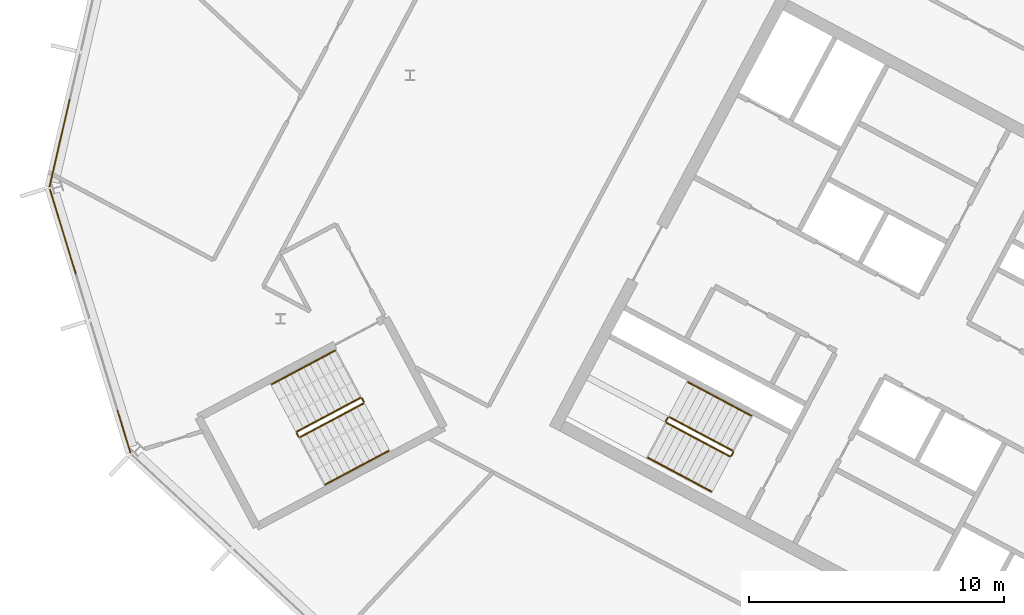
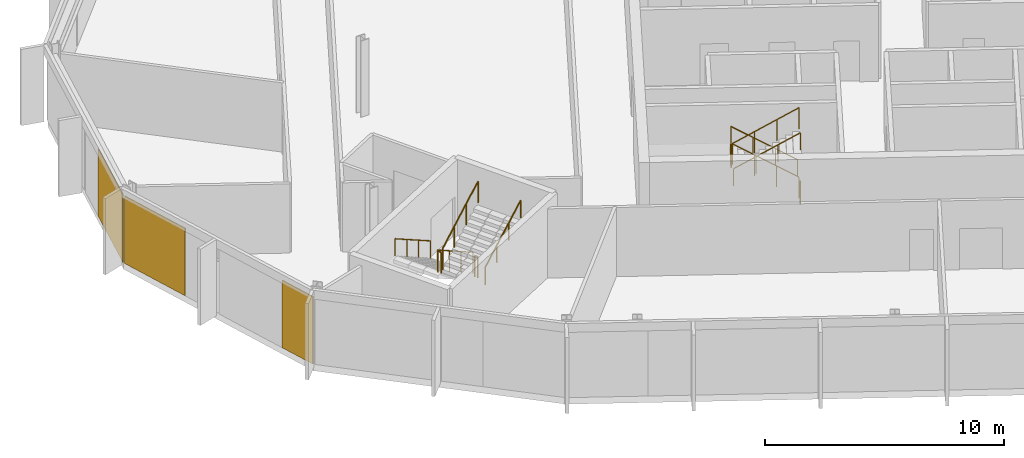
# One storey, part 20 of 25: 12 railings, 3 coverings, 2 elements without a shape of their own.
"""IFC4 building model written with IfcOpenShell, lengths in metres."""

from ifc_helpers import new_model, si_unit, direction, frame, origin, origin_2d, place, context, subcontext, project, spatial, polyline, rectangle, outline, extrude, material, layer, layer_set, type_object, element, aggregate, save


model = new_model("IFC4")

# Units and contexts
model_context = context("Model", 3, precision=1e-05, world=origin(), true_north=direction((0.0, 1.0)))
body_context = subcontext(model_context, "Body", "Model", "MODEL_VIEW")
ifc_project = project(units=[si_unit("LENGTHUNIT", "METRE"), si_unit("AREAUNIT", "SQUARE_METRE"), si_unit("VOLUMEUNIT", "CUBIC_METRE"), si_unit("PLANEANGLEUNIT", "RADIAN"), si_unit("MASSUNIT", "GRAM", prefix="KILO")], contexts=[model_context])

# Site, building, storey
site_placement = place(None, origin())
site = spatial("IfcSite", under=ifc_project, at=site_placement, CompositionType="ELEMENT")
building_placement = place(site_placement, origin())
building = spatial("IfcBuilding", under=site, at=building_placement, Name="Cormorant Relay Tower", CompositionType="ELEMENT")
storey_placement = place(building_placement, frame((0.0, 0.0, 281.39990234375)))
storey = spatial("IfcBuildingStorey", under=building, at=storey_placement, Name="L63", CompositionType="ELEMENT", Elevation=281.39990234375)

# Curtain wall, covering
ifc_material_1 = material(Name="Aluminium 6063-T6 anodised bronze", Category="aluminium")
ifc_layer_1 = layer(ifc_material_1, 0.199951171875)
ifc_layer_set_1 = layer_set([ifc_layer_1], Name="CW1 unitised bronze curtain wall with vertical fins")
curtain_wall_type = type_object("IfcCurtainWallType", Name="CW1 unitised bronze curtain wall with vertical fins", PredefinedType="NOTDEFINED", material=ifc_layer_set_1)
curtain_wall_1_placement = place(storey_placement, origin())
curtain_wall_1 = element("IfcCurtainWall", 1, at=curtain_wall_1_placement, inside=storey, type_object=curtain_wall_type, Name="CW1 curtain wall 13", PredefinedType="NOTDEFINED")
ifc_material_2 = material(Name="Pale bronze anodised aluminium insulated panel", Category="aluminium")
ifc_layer_2 = layer(ifc_material_2, 0.0400390625)
ifc_layer_set_2 = layer_set([ifc_layer_2], Name="CW1 pale bronze insulated panel 40")
covering_type = type_object("IfcCoveringType", Name="CW1 pale bronze insulated panel 40", PredefinedType="CLADDING", material=ifc_layer_set_2)
covering_1_placement = place(storey_placement, frame((-60.3388671875, 22.13232421875, 0.0), z_axis=(0.0, 0.0, 1.0), x_axis=(-0.224951054344, -0.974370064785, 0.0)))
covering_1 = element("IfcCovering", 2, at=covering_1_placement, type_object=covering_type, Name="CW1 panel S02", PredefinedType="CLADDING", context=body_context, shape_type="SweptSolid", body=[
    extrude(rectangle(XDim=3.560302734375, YDim=0.0400390625, at=origin_2d()), origin(), (0.0, 0.0, 1.0), 3.449951171875),
])
aggregate(curtain_wall_1, [covering_1])

# Curtain wall, coverings
curtain_wall_2_placement = place(storey_placement, origin())
curtain_wall_2 = element("IfcCurtainWall", 3, at=curtain_wall_2_placement, inside=storey, type_object=curtain_wall_type, Name="CW1 curtain wall 14", PredefinedType="NOTDEFINED")
covering_2_placement = place(storey_placement, frame((-60.20751953125, 18.6494140625, 0.0), z_axis=(0.0, 0.0, 1.0), x_axis=(0.292371704723, -0.956304755963, 0.0)))
covering_2 = element("IfcCovering", 4, at=covering_2_placement, type_object=covering_type, Name="CW1 panel S00", PredefinedType="CLADDING", context=body_context, shape_type="SweptSolid", body=[
    extrude(rectangle(XDim=3.485107421875, YDim=0.0400390625, at=origin_2d()), origin(), (0.0, 0.0, 1.0), 3.449951171875),
])
covering_3_placement = place(storey_placement, frame((-57.818115234375, 10.833740234375, 0.0), z_axis=(0.0, 0.0, 1.0), x_axis=(0.292371704723, -0.956304755963, 0.0)))
covering_3 = element("IfcCovering", 5, at=covering_3_placement, type_object=covering_type, Name="CW1 panel S03", PredefinedType="CLADDING", context=body_context, shape_type="SweptSolid", body=[
    extrude(rectangle(XDim=1.76025390625, YDim=0.0400390625, at=origin_2d()), origin(), (0.0, 0.0, 1.0), 3.449951171875),
])
aggregate(curtain_wall_2, [covering_2, covering_3])

# Railings
ifc_material_3 = material(Name="Steel ASTM A572 Grade 50 (Fy 345 MPa)", Category="steel")
railing_type_1 = type_object("IfcRailingType", Name="Stair guard 1100", PredefinedType="GUARDRAIL", material=ifc_material_3)
railing_1_placement = place(storey_placement, frame((-33.9921875, 10.08935546875, 0.177490234375)))
element("IfcRailing", 6, at=railing_1_placement, inside=storey, type_object=railing_type_1, Name="L63 A2 stair guard 1", PredefinedType="GUARDRAIL", context=body_context, shape_type="SweptSolid", body=[
    extrude(outline(polyline([(0.022216796875, 0.00927734375), (0.00927734375, 0.022216796875), (-0.00927734375, 0.022216796875), (-0.022216796875, 0.00927734375), (-0.022216796875, -0.00927734375), (-0.00927734375, -0.022216796875), (0.00927734375, -0.022216796875), (0.022216796875, -0.00927734375), (0.022216796875, 0.00927734375)])), frame((0.0, 0.0, 1.076171875), z_axis=(-0.746001213114, 0.396649272309, 0.534931345884), x_axis=(-0.469465464807, -0.882950835185, 0.0)), (0.0, 0.0, 1.0), 3.31396484375),
    extrude(outline(polyline([(0.019287109375, 0.008056640625), (0.008056640625, 0.019287109375), (-0.008056640625, 0.019287109375), (-0.019287109375, 0.008056640625), (-0.019287109375, -0.008056640625), (-0.008056640625, -0.019287109375), (0.008056640625, -0.019287109375), (0.019287109375, -0.008056640625), (0.019287109375, 0.008056640625)])), origin(), (0.0, 0.0, 1.0), 1.052001953125),
    extrude(outline(polyline([(0.019287109375, 0.008056640625), (0.008056640625, 0.019287109375), (-0.008056640625, 0.019287109375), (-0.019287109375, 0.008056640625), (-0.019287109375, -0.008056640625), (-0.008056640625, -0.019287109375), (0.008056640625, -0.019287109375), (0.019287109375, -0.008056640625), (0.019287109375, 0.008056640625)])), frame((-0.823974609375, 0.438232421875, 0.5908203125)), (0.0, 0.0, 1.0), 1.052001953125),
    extrude(outline(polyline([(0.019287109375, 0.008056640625), (0.008056640625, 0.019287109375), (-0.008056640625, 0.019287109375), (-0.019287109375, 0.008056640625), (-0.019287109375, -0.008056640625), (-0.008056640625, -0.019287109375), (0.008056640625, -0.019287109375), (0.019287109375, -0.008056640625), (0.019287109375, 0.008056640625)])), frame((-1.648193359375, 0.876220703125, 1.181884765625)), (0.0, 0.0, 1.0), 1.052001953125),
    extrude(outline(polyline([(0.019287109375, 0.008056640625), (0.008056640625, 0.019287109375), (-0.008056640625, 0.019287109375), (-0.019287109375, 0.008056640625), (-0.019287109375, -0.008056640625), (-0.008056640625, -0.019287109375), (0.008056640625, -0.019287109375), (0.019287109375, -0.008056640625), (0.019287109375, 0.008056640625)])), frame((-2.47216796875, 1.314453125, 1.772705078125)), (0.0, 0.0, 1.0), 1.052001953125),
])
railing_2_placement = place(storey_placement, frame((-36.531982421875, 11.38330078125, 1.9501953125)))
element("IfcRailing", 7, at=railing_2_placement, inside=storey, type_object=railing_type_1, Name="L63 A2 stair guard 2", PredefinedType="GUARDRAIL", context=body_context, shape_type="SweptSolid", body=[
    extrude(outline(polyline([(0.022216796875, 0.00927734375), (0.00927734375, 0.022216796875), (-0.00927734375, 0.022216796875), (-0.022216796875, 0.00927734375), (-0.022216796875, -0.00927734375), (-0.00927734375, -0.022216796875), (0.00927734375, -0.022216796875), (0.022216796875, -0.00927734375), (0.022216796875, 0.00927734375)])), frame((0.0, 0.0, 1.076171875), z_axis=(-0.469828648786, -0.882757634224, 0.0), x_axis=(0.882757634224, -0.469828648786, 0.0)), (0.0, 0.0, 1.0), 0.150146484375),
    extrude(outline(polyline([(0.019287109375, 0.008056640625), (0.008056640625, 0.019287109375), (-0.008056640625, 0.019287109375), (-0.019287109375, 0.008056640625), (-0.019287109375, -0.008056640625), (-0.008056640625, -0.019287109375), (0.008056640625, -0.019287109375), (0.019287109375, -0.008056640625), (0.019287109375, 0.008056640625)])), origin(), (0.0, 0.0, 1.0), 1.052001953125),
    extrude(outline(polyline([(0.019287109375, 0.008056640625), (0.008056640625, 0.019287109375), (-0.008056640625, 0.019287109375), (-0.019287109375, 0.008056640625), (-0.019287109375, -0.008056640625), (-0.008056640625, -0.019287109375), (0.008056640625, -0.019287109375), (0.019287109375, -0.008056640625), (0.019287109375, 0.008056640625)])), frame((-0.070556640625, -0.132568359375, 0.0)), (0.0, 0.0, 1.0), 1.052001953125),
])
railing_3_placement = place(storey_placement, frame((-36.581787109375, 11.18310546875, 2.12744140625)))
element("IfcRailing", 8, at=railing_3_placement, inside=storey, type_object=railing_type_1, Name="L63 A2 stair guard 3", PredefinedType="GUARDRAIL", context=body_context, shape_type="SweptSolid", body=[
    extrude(outline(polyline([(0.022216796875, 0.00927734375), (0.00927734375, 0.022216796875), (-0.00927734375, 0.022216796875), (-0.022216796875, 0.00927734375), (-0.022216796875, -0.00927734375), (-0.00927734375, -0.022216796875), (0.00927734375, -0.022216796875), (0.022216796875, -0.00927734375), (0.022216796875, 0.00927734375)])), frame((0.0, 0.0, 1.076171875), z_axis=(0.746001213114, -0.396649272309, 0.534931345884), x_axis=(0.469465464807, 0.882950835185, 0.0)), (0.0, 0.0, 1.0), 3.31396484375),
    extrude(outline(polyline([(0.019287109375, 0.008056640625), (0.008056640625, 0.019287109375), (-0.008056640625, 0.019287109375), (-0.019287109375, 0.008056640625), (-0.019287109375, -0.008056640625), (-0.008056640625, -0.019287109375), (0.008056640625, -0.019287109375), (0.019287109375, -0.008056640625), (0.019287109375, 0.008056640625)])), origin(), (0.0, 0.0, 1.0), 1.052001953125),
    extrude(outline(polyline([(0.019287109375, 0.008056640625), (0.008056640625, 0.019287109375), (-0.008056640625, 0.019287109375), (-0.019287109375, 0.008056640625), (-0.019287109375, -0.008056640625), (-0.008056640625, -0.019287109375), (0.008056640625, -0.019287109375), (0.019287109375, -0.008056640625), (0.019287109375, 0.008056640625)])), frame((0.823974609375, -0.438232421875, 0.5908203125)), (0.0, 0.0, 1.0), 1.052001953125),
    extrude(outline(polyline([(0.019287109375, 0.008056640625), (0.008056640625, 0.019287109375), (-0.008056640625, 0.019287109375), (-0.019287109375, 0.008056640625), (-0.019287109375, -0.008056640625), (-0.008056640625, -0.019287109375), (0.008056640625, -0.019287109375), (0.019287109375, -0.008056640625), (0.019287109375, 0.008056640625)])), frame((1.648193359375, -0.876220703125, 1.181884765625)), (0.0, 0.0, 1.0), 1.052001953125),
    extrude(outline(polyline([(0.019287109375, 0.008056640625), (0.008056640625, 0.019287109375), (-0.008056640625, 0.019287109375), (-0.019287109375, 0.008056640625), (-0.019287109375, -0.008056640625), (-0.008056640625, -0.019287109375), (0.008056640625, -0.019287109375), (0.019287109375, -0.008056640625), (0.019287109375, 0.008056640625)])), frame((2.47216796875, -1.314453125, 1.772705078125)), (0.0, 0.0, 1.0), 1.052001953125),
])
railing_4_placement = place(storey_placement, frame((-33.971435546875, 10.021728515625, 0.0)))
element("IfcRailing", 9, at=railing_4_placement, inside=storey, type_object=railing_type_1, Name="L63 A2 stair guard 4", PredefinedType="GUARDRAIL", context=body_context, shape_type="SweptSolid", body=[
    extrude(outline(polyline([(0.022216796875, 0.00927734375), (0.00927734375, 0.022216796875), (-0.00927734375, 0.022216796875), (-0.022216796875, 0.00927734375), (-0.022216796875, -0.00927734375), (-0.00927734375, -0.022216796875), (0.00927734375, -0.022216796875), (0.022216796875, -0.00927734375), (0.022216796875, 0.00927734375)])), frame((0.0, 0.0, 1.076171875), z_axis=(-0.470503732759, -0.882398003998, 0.0), x_axis=(0.882398003998, -0.470503732759, 0.0)), (0.0, 0.0, 1.0), 0.14990234375),
    extrude(outline(polyline([(0.019287109375, 0.008056640625), (0.008056640625, 0.019287109375), (-0.008056640625, 0.019287109375), (-0.019287109375, 0.008056640625), (-0.019287109375, -0.008056640625), (-0.008056640625, -0.019287109375), (0.008056640625, -0.019287109375), (0.019287109375, -0.008056640625), (0.019287109375, 0.008056640625)])), origin(), (0.0, 0.0, 1.0), 1.052001953125),
    extrude(outline(polyline([(0.019287109375, 0.008056640625), (0.008056640625, 0.019287109375), (-0.008056640625, 0.019287109375), (-0.019287109375, 0.008056640625), (-0.019287109375, -0.008056640625), (-0.008056640625, -0.019287109375), (0.008056640625, -0.019287109375), (0.019287109375, -0.008056640625), (0.019287109375, 0.008056640625)])), frame((-0.070556640625, -0.13232421875, 0.0)), (0.0, 0.0, 1.0), 1.052001953125),
])
railing_5_placement = place(storey_placement, frame((-48.5693359375, 12.155517578125, 0.177490234375)))
element("IfcRailing", 10, at=railing_5_placement, inside=storey, type_object=railing_type_1, Name="L63 RP1 stair guard 1", PredefinedType="GUARDRAIL", context=body_context, shape_type="SweptSolid", body=[
    extrude(outline(polyline([(0.022216796875, 0.00927734375), (0.00927734375, 0.022216796875), (-0.00927734375, 0.022216796875), (-0.022216796875, 0.00927734375), (-0.022216796875, -0.00927734375), (-0.00927734375, -0.022216796875), (0.00927734375, -0.022216796875), (0.022216796875, -0.00927734375), (0.022216796875, 0.00927734375)])), frame((0.0, 0.0, 1.076171875), z_axis=(-0.746012083385, -0.396689549623, 0.534886317514), x_axis=(0.469497295046, -0.882933910293, 0.0)), (0.0, 0.0, 1.0), 3.314208984375),
    extrude(outline(polyline([(0.019287109375, 0.008056640625), (0.008056640625, 0.019287109375), (-0.008056640625, 0.019287109375), (-0.019287109375, 0.008056640625), (-0.019287109375, -0.008056640625), (-0.008056640625, -0.019287109375), (0.008056640625, -0.019287109375), (0.019287109375, -0.008056640625), (0.019287109375, 0.008056640625)])), origin(), (0.0, 0.0, 1.0), 1.052001953125),
    extrude(outline(polyline([(0.019287109375, 0.008056640625), (0.008056640625, 0.019287109375), (-0.008056640625, 0.019287109375), (-0.019287109375, 0.008056640625), (-0.019287109375, -0.008056640625), (-0.008056640625, -0.019287109375), (0.008056640625, -0.019287109375), (0.019287109375, -0.008056640625), (0.019287109375, 0.008056640625)])), frame((-0.82421875, -0.438232421875, 0.5908203125)), (0.0, 0.0, 1.0), 1.052001953125),
    extrude(outline(polyline([(0.019287109375, 0.008056640625), (0.008056640625, 0.019287109375), (-0.008056640625, 0.019287109375), (-0.019287109375, 0.008056640625), (-0.019287109375, -0.008056640625), (-0.008056640625, -0.019287109375), (0.008056640625, -0.019287109375), (0.019287109375, -0.008056640625), (0.019287109375, 0.008056640625)])), frame((-1.648193359375, -0.87646484375, 1.181884765625)), (0.0, 0.0, 1.0), 1.052001953125),
    extrude(outline(polyline([(0.019287109375, 0.008056640625), (0.008056640625, 0.019287109375), (-0.008056640625, 0.019287109375), (-0.019287109375, 0.008056640625), (-0.019287109375, -0.008056640625), (-0.008056640625, -0.019287109375), (0.008056640625, -0.019287109375), (0.019287109375, -0.008056640625), (0.019287109375, 0.008056640625)])), frame((-2.472412109375, -1.314697265625, 1.772705078125)), (0.0, 0.0, 1.0), 1.052001953125),
])
railing_6_placement = place(storey_placement, frame((-51.062255859375, 10.773193359375, 1.9501953125)))
element("IfcRailing", 11, at=railing_6_placement, inside=storey, type_object=railing_type_1, Name="L63 RP1 stair guard 2", PredefinedType="GUARDRAIL", context=body_context, shape_type="SweptSolid", body=[
    extrude(outline(polyline([(0.022216796875, 0.00927734375), (0.00927734375, 0.022216796875), (-0.00927734375, 0.022216796875), (-0.022216796875, 0.00927734375), (-0.022216796875, -0.00927734375), (-0.00927734375, -0.022216796875), (0.00927734375, -0.022216796875), (0.022216796875, -0.00927734375), (0.022216796875, 0.00927734375)])), frame((0.0, 0.0, 1.076171875), z_axis=(0.469234640946, -0.883073525669, 0.0), x_axis=(0.883073525669, 0.469234640946, 0.0)), (0.0, 0.0, 1.0), 0.14990234375),
    extrude(outline(polyline([(0.019287109375, 0.008056640625), (0.008056640625, 0.019287109375), (-0.008056640625, 0.019287109375), (-0.019287109375, 0.008056640625), (-0.019287109375, -0.008056640625), (-0.008056640625, -0.019287109375), (0.008056640625, -0.019287109375), (0.019287109375, -0.008056640625), (0.019287109375, 0.008056640625)])), origin(), (0.0, 0.0, 1.0), 1.052001953125),
    extrude(outline(polyline([(0.019287109375, 0.008056640625), (0.008056640625, 0.019287109375), (-0.008056640625, 0.019287109375), (-0.019287109375, 0.008056640625), (-0.019287109375, -0.008056640625), (-0.008056640625, -0.019287109375), (0.008056640625, -0.019287109375), (0.019287109375, -0.008056640625), (0.019287109375, 0.008056640625)])), frame((0.0703125, -0.13232421875, 0.0)), (0.0, 0.0, 1.0), 1.052001953125),
])
railing_7_placement = place(storey_placement, frame((-50.92431640625, 10.6201171875, 2.12744140625)))
element("IfcRailing", 12, at=railing_7_placement, inside=storey, type_object=railing_type_1, Name="L63 RP1 stair guard 3", PredefinedType="GUARDRAIL", context=body_context, shape_type="SweptSolid", body=[
    extrude(outline(polyline([(0.022216796875, 0.00927734375), (0.00927734375, 0.022216796875), (-0.00927734375, 0.022216796875), (-0.022216796875, 0.00927734375), (-0.022216796875, -0.00927734375), (-0.00927734375, -0.022216796875), (0.00927734375, -0.022216796875), (0.022216796875, -0.00927734375), (0.022216796875, 0.00927734375)])), frame((0.0, 0.0, 1.076171875), z_axis=(0.746033882577, 0.396627473466, 0.534901947407), x_axis=(-0.469429322983, 0.882970050864, 0.0)), (0.0, 0.0, 1.0), 3.31396484375),
    extrude(outline(polyline([(0.019287109375, 0.008056640625), (0.008056640625, 0.019287109375), (-0.008056640625, 0.019287109375), (-0.019287109375, 0.008056640625), (-0.019287109375, -0.008056640625), (-0.008056640625, -0.019287109375), (0.008056640625, -0.019287109375), (0.019287109375, -0.008056640625), (0.019287109375, 0.008056640625)])), origin(), (0.0, 0.0, 1.0), 1.052001953125),
    extrude(outline(polyline([(0.019287109375, 0.008056640625), (0.008056640625, 0.019287109375), (-0.008056640625, 0.019287109375), (-0.019287109375, 0.008056640625), (-0.019287109375, -0.008056640625), (-0.008056640625, -0.019287109375), (0.008056640625, -0.019287109375), (0.019287109375, -0.008056640625), (0.019287109375, 0.008056640625)])), frame((0.82421875, 0.438232421875, 0.5908203125)), (0.0, 0.0, 1.0), 1.052001953125),
    extrude(outline(polyline([(0.019287109375, 0.008056640625), (0.008056640625, 0.019287109375), (-0.008056640625, 0.019287109375), (-0.019287109375, 0.008056640625), (-0.019287109375, -0.008056640625), (-0.008056640625, -0.019287109375), (0.008056640625, -0.019287109375), (0.019287109375, -0.008056640625), (0.019287109375, 0.008056640625)])), frame((1.648193359375, 0.876220703125, 1.181884765625)), (0.0, 0.0, 1.0), 1.052001953125),
    extrude(outline(polyline([(0.019287109375, 0.008056640625), (0.008056640625, 0.019287109375), (-0.008056640625, 0.019287109375), (-0.019287109375, 0.008056640625), (-0.019287109375, -0.008056640625), (-0.008056640625, -0.019287109375), (0.008056640625, -0.019287109375), (0.019287109375, -0.008056640625), (0.019287109375, 0.008056640625)])), frame((2.472412109375, 1.314453125, 1.772705078125)), (0.0, 0.0, 1.0), 1.052001953125),
])
railing_8_placement = place(storey_placement, frame((-48.501708984375, 12.134765625, 0.0)))
element("IfcRailing", 13, at=railing_8_placement, inside=storey, type_object=railing_type_1, Name="L63 RP1 stair guard 4", PredefinedType="GUARDRAIL", context=body_context, shape_type="SweptSolid", body=[
    extrude(outline(polyline([(0.022216796875, 0.00927734375), (0.00927734375, 0.022216796875), (-0.00927734375, 0.022216796875), (-0.022216796875, 0.00927734375), (-0.022216796875, -0.00927734375), (-0.00927734375, -0.022216796875), (0.00927734375, -0.022216796875), (0.022216796875, -0.00927734375), (0.022216796875, 0.00927734375)])), frame((0.0, 0.0, 1.076171875), z_axis=(0.46856034887, -0.8834314911, 0.0), x_axis=(0.8834314911, 0.46856034887, 0.0)), (0.0, 0.0, 1.0), 0.150146484375),
    extrude(outline(polyline([(0.019287109375, 0.008056640625), (0.008056640625, 0.019287109375), (-0.008056640625, 0.019287109375), (-0.019287109375, 0.008056640625), (-0.019287109375, -0.008056640625), (-0.008056640625, -0.019287109375), (0.008056640625, -0.019287109375), (0.019287109375, -0.008056640625), (0.019287109375, 0.008056640625)])), origin(), (0.0, 0.0, 1.0), 1.052001953125),
    extrude(outline(polyline([(0.019287109375, 0.008056640625), (0.008056640625, 0.019287109375), (-0.008056640625, 0.019287109375), (-0.019287109375, 0.008056640625), (-0.019287109375, -0.008056640625), (-0.008056640625, -0.019287109375), (0.008056640625, -0.019287109375), (0.019287109375, -0.008056640625), (0.019287109375, 0.008056640625)])), frame((0.0703125, -0.132568359375, 0.0)), (0.0, 0.0, 1.0), 1.052001953125),
])
ifc_material_4 = material(Name="Steel ASTM A572 Grade 50 (Fy 345 MPa)", Category="steel")
railing_type_2 = type_object("IfcRailingType", Name="Stair handrail 900", PredefinedType="HANDRAIL", material=ifc_material_4)
railing_9_placement = place(storey_placement, frame((-33.264404296875, 11.4580078125, 0.177490234375)))
element("IfcRailing", 14, at=railing_9_placement, inside=storey, type_object=railing_type_2, Name="L63 A2 stair handrail 1", PredefinedType="HANDRAIL", context=body_context, shape_type="SweptSolid", body=[
    extrude(outline(polyline([(0.022216796875, 0.00927734375), (0.00927734375, 0.022216796875), (-0.00927734375, 0.022216796875), (-0.022216796875, 0.00927734375), (-0.022216796875, -0.00927734375), (-0.00927734375, -0.022216796875), (0.00927734375, -0.022216796875), (0.022216796875, -0.00927734375), (0.022216796875, 0.00927734375)])), frame((0.0, 0.0, 0.8759765625), z_axis=(-0.746033882577, 0.396627473466, 0.534901947407), x_axis=(-0.469429322983, -0.882970050864, 0.0)), (0.0, 0.0, 1.0), 3.31396484375),
    extrude(outline(polyline([(0.019287109375, 0.008056640625), (0.008056640625, 0.019287109375), (-0.008056640625, 0.019287109375), (-0.019287109375, 0.008056640625), (-0.019287109375, -0.008056640625), (-0.008056640625, -0.019287109375), (0.008056640625, -0.019287109375), (0.019287109375, -0.008056640625), (0.019287109375, 0.008056640625)])), origin(), (0.0, 0.0, 1.0), 0.851806640625),
    extrude(outline(polyline([(0.019287109375, 0.008056640625), (0.008056640625, 0.019287109375), (-0.008056640625, 0.019287109375), (-0.019287109375, 0.008056640625), (-0.019287109375, -0.008056640625), (-0.008056640625, -0.019287109375), (0.008056640625, -0.019287109375), (0.019287109375, -0.008056640625), (0.019287109375, 0.008056640625)])), frame((-0.82421875, 0.438232421875, 0.5908203125)), (0.0, 0.0, 1.0), 0.851806640625),
    extrude(outline(polyline([(0.019287109375, 0.008056640625), (0.008056640625, 0.019287109375), (-0.008056640625, 0.019287109375), (-0.019287109375, 0.008056640625), (-0.019287109375, -0.008056640625), (-0.008056640625, -0.019287109375), (0.008056640625, -0.019287109375), (0.019287109375, -0.008056640625), (0.019287109375, 0.008056640625)])), frame((-1.648193359375, 0.876220703125, 1.181884765625)), (0.0, 0.0, 1.0), 0.851806640625),
    extrude(outline(polyline([(0.019287109375, 0.008056640625), (0.008056640625, 0.019287109375), (-0.008056640625, 0.019287109375), (-0.019287109375, 0.008056640625), (-0.019287109375, -0.008056640625), (-0.008056640625, -0.019287109375), (0.008056640625, -0.019287109375), (0.019287109375, -0.008056640625), (0.019287109375, 0.008056640625)])), frame((-2.472412109375, 1.314453125, 1.772705078125)), (0.0, 0.0, 1.0), 0.851806640625),
])
railing_10_placement = place(storey_placement, frame((-37.3095703125, 9.814453125, 2.12744140625)))
element("IfcRailing", 15, at=railing_10_placement, inside=storey, type_object=railing_type_2, Name="L63 A2 stair handrail 2", PredefinedType="HANDRAIL", context=body_context, shape_type="SweptSolid", body=[
    extrude(outline(polyline([(0.022216796875, 0.00927734375), (0.00927734375, 0.022216796875), (-0.00927734375, 0.022216796875), (-0.022216796875, 0.00927734375), (-0.022216796875, -0.00927734375), (-0.00927734375, -0.022216796875), (0.00927734375, -0.022216796875), (0.022216796875, -0.00927734375), (0.022216796875, 0.00927734375)])), frame((0.0, 0.0, 0.8759765625), z_axis=(0.746033882577, -0.396627473466, 0.534901947407), x_axis=(0.469429322983, 0.882970050864, 0.0)), (0.0, 0.0, 1.0), 3.31396484375),
    extrude(outline(polyline([(0.019287109375, 0.008056640625), (0.008056640625, 0.019287109375), (-0.008056640625, 0.019287109375), (-0.019287109375, 0.008056640625), (-0.019287109375, -0.008056640625), (-0.008056640625, -0.019287109375), (0.008056640625, -0.019287109375), (0.019287109375, -0.008056640625), (0.019287109375, 0.008056640625)])), origin(), (0.0, 0.0, 1.0), 0.851806640625),
    extrude(outline(polyline([(0.019287109375, 0.008056640625), (0.008056640625, 0.019287109375), (-0.008056640625, 0.019287109375), (-0.019287109375, 0.008056640625), (-0.019287109375, -0.008056640625), (-0.008056640625, -0.019287109375), (0.008056640625, -0.019287109375), (0.019287109375, -0.008056640625), (0.019287109375, 0.008056640625)])), frame((0.82421875, -0.438232421875, 0.5908203125)), (0.0, 0.0, 1.0), 0.851806640625),
    extrude(outline(polyline([(0.019287109375, 0.008056640625), (0.008056640625, 0.019287109375), (-0.008056640625, 0.019287109375), (-0.019287109375, 0.008056640625), (-0.019287109375, -0.008056640625), (-0.008056640625, -0.019287109375), (0.008056640625, -0.019287109375), (0.019287109375, -0.008056640625), (0.019287109375, 0.008056640625)])), frame((1.648193359375, -0.876220703125, 1.181884765625)), (0.0, 0.0, 1.0), 0.851806640625),
    extrude(outline(polyline([(0.019287109375, 0.008056640625), (0.008056640625, 0.019287109375), (-0.008056640625, 0.019287109375), (-0.019287109375, 0.008056640625), (-0.019287109375, -0.008056640625), (-0.008056640625, -0.019287109375), (0.008056640625, -0.019287109375), (0.019287109375, -0.008056640625), (0.019287109375, 0.008056640625)])), frame((2.472412109375, -1.314453125, 1.772705078125)), (0.0, 0.0, 1.0), 0.851806640625),
])
railing_11_placement = place(storey_placement, frame((-49.55517578125, 14.009521484375, 0.177490234375)))
element("IfcRailing", 16, at=railing_11_placement, inside=storey, type_object=railing_type_2, Name="L63 RP1 stair handrail 1", PredefinedType="HANDRAIL", context=body_context, shape_type="SweptSolid", body=[
    extrude(outline(polyline([(0.022216796875, 0.00927734375), (0.00927734375, 0.022216796875), (-0.00927734375, 0.022216796875), (-0.022216796875, 0.00927734375), (-0.022216796875, -0.00927734375), (-0.00927734375, -0.022216796875), (0.00927734375, -0.022216796875), (0.022216796875, -0.00927734375), (0.022216796875, 0.00927734375)])), frame((0.0, 0.0, 0.8759765625), z_axis=(-0.746033882577, -0.396627473466, 0.534901947407), x_axis=(0.469429322983, -0.882970050864, 0.0)), (0.0, 0.0, 1.0), 3.31396484375),
    extrude(outline(polyline([(0.019287109375, 0.008056640625), (0.008056640625, 0.019287109375), (-0.008056640625, 0.019287109375), (-0.019287109375, 0.008056640625), (-0.019287109375, -0.008056640625), (-0.008056640625, -0.019287109375), (0.008056640625, -0.019287109375), (0.019287109375, -0.008056640625), (0.019287109375, 0.008056640625)])), origin(), (0.0, 0.0, 1.0), 0.851806640625),
    extrude(outline(polyline([(0.019287109375, 0.008056640625), (0.008056640625, 0.019287109375), (-0.008056640625, 0.019287109375), (-0.019287109375, 0.008056640625), (-0.019287109375, -0.008056640625), (-0.008056640625, -0.019287109375), (0.008056640625, -0.019287109375), (0.019287109375, -0.008056640625), (0.019287109375, 0.008056640625)])), frame((-0.82421875, -0.438232421875, 0.5908203125)), (0.0, 0.0, 1.0), 0.851806640625),
    extrude(outline(polyline([(0.019287109375, 0.008056640625), (0.008056640625, 0.019287109375), (-0.008056640625, 0.019287109375), (-0.019287109375, 0.008056640625), (-0.019287109375, -0.008056640625), (-0.008056640625, -0.019287109375), (0.008056640625, -0.019287109375), (0.019287109375, -0.008056640625), (0.019287109375, 0.008056640625)])), frame((-1.648193359375, -0.876220703125, 1.181884765625)), (0.0, 0.0, 1.0), 0.851806640625),
    extrude(outline(polyline([(0.019287109375, 0.008056640625), (0.008056640625, 0.019287109375), (-0.008056640625, 0.019287109375), (-0.019287109375, 0.008056640625), (-0.019287109375, -0.008056640625), (-0.008056640625, -0.019287109375), (0.008056640625, -0.019287109375), (0.019287109375, -0.008056640625), (0.019287109375, 0.008056640625)])), frame((-2.472412109375, -1.314453125, 1.772705078125)), (0.0, 0.0, 1.0), 0.851806640625),
])
railing_12_placement = place(storey_placement, frame((-49.9384765625, 8.765869140625, 2.12744140625)))
element("IfcRailing", 17, at=railing_12_placement, inside=storey, type_object=railing_type_2, Name="L63 RP1 stair handrail 2", PredefinedType="HANDRAIL", context=body_context, shape_type="SweptSolid", body=[
    extrude(outline(polyline([(0.022216796875, 0.00927734375), (0.00927734375, 0.022216796875), (-0.00927734375, 0.022216796875), (-0.022216796875, 0.00927734375), (-0.022216796875, -0.00927734375), (-0.00927734375, -0.022216796875), (0.00927734375, -0.022216796875), (0.022216796875, -0.00927734375), (0.022216796875, 0.00927734375)])), frame((0.0, 0.0, 0.8759765625), z_axis=(0.746012083385, 0.396689549623, 0.534886317514), x_axis=(-0.469497295046, 0.882933910293, 0.0)), (0.0, 0.0, 1.0), 3.314208984375),
    extrude(outline(polyline([(0.019287109375, 0.008056640625), (0.008056640625, 0.019287109375), (-0.008056640625, 0.019287109375), (-0.019287109375, 0.008056640625), (-0.019287109375, -0.008056640625), (-0.008056640625, -0.019287109375), (0.008056640625, -0.019287109375), (0.019287109375, -0.008056640625), (0.019287109375, 0.008056640625)])), origin(), (0.0, 0.0, 1.0), 0.851806640625),
    extrude(outline(polyline([(0.019287109375, 0.008056640625), (0.008056640625, 0.019287109375), (-0.008056640625, 0.019287109375), (-0.019287109375, 0.008056640625), (-0.019287109375, -0.008056640625), (-0.008056640625, -0.019287109375), (0.008056640625, -0.019287109375), (0.019287109375, -0.008056640625), (0.019287109375, 0.008056640625)])), frame((0.82421875, 0.438232421875, 0.5908203125)), (0.0, 0.0, 1.0), 0.851806640625),
    extrude(outline(polyline([(0.019287109375, 0.008056640625), (0.008056640625, 0.019287109375), (-0.008056640625, 0.019287109375), (-0.019287109375, 0.008056640625), (-0.019287109375, -0.008056640625), (-0.008056640625, -0.019287109375), (0.008056640625, -0.019287109375), (0.019287109375, -0.008056640625), (0.019287109375, 0.008056640625)])), frame((1.648193359375, 0.87646484375, 1.181884765625)), (0.0, 0.0, 1.0), 0.851806640625),
    extrude(outline(polyline([(0.019287109375, 0.008056640625), (0.008056640625, 0.019287109375), (-0.008056640625, 0.019287109375), (-0.019287109375, 0.008056640625), (-0.019287109375, -0.008056640625), (-0.008056640625, -0.019287109375), (0.008056640625, -0.019287109375), (0.019287109375, -0.008056640625), (0.019287109375, 0.008056640625)])), frame((2.472412109375, 1.314697265625, 1.772705078125)), (0.0, 0.0, 1.0), 0.851806640625),
])

save(model, "model.ifc")
